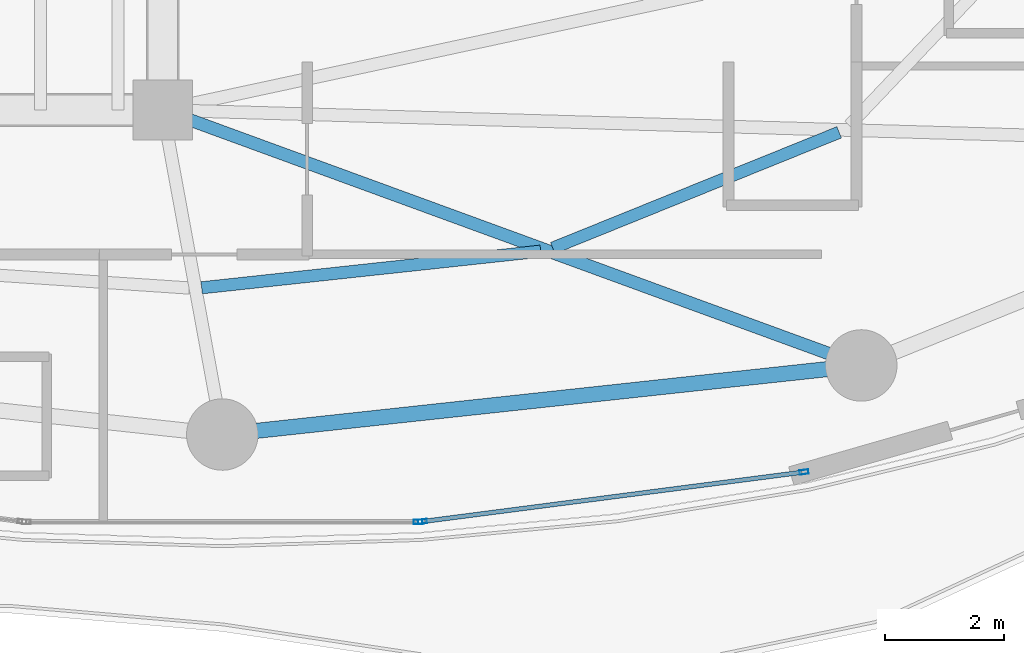
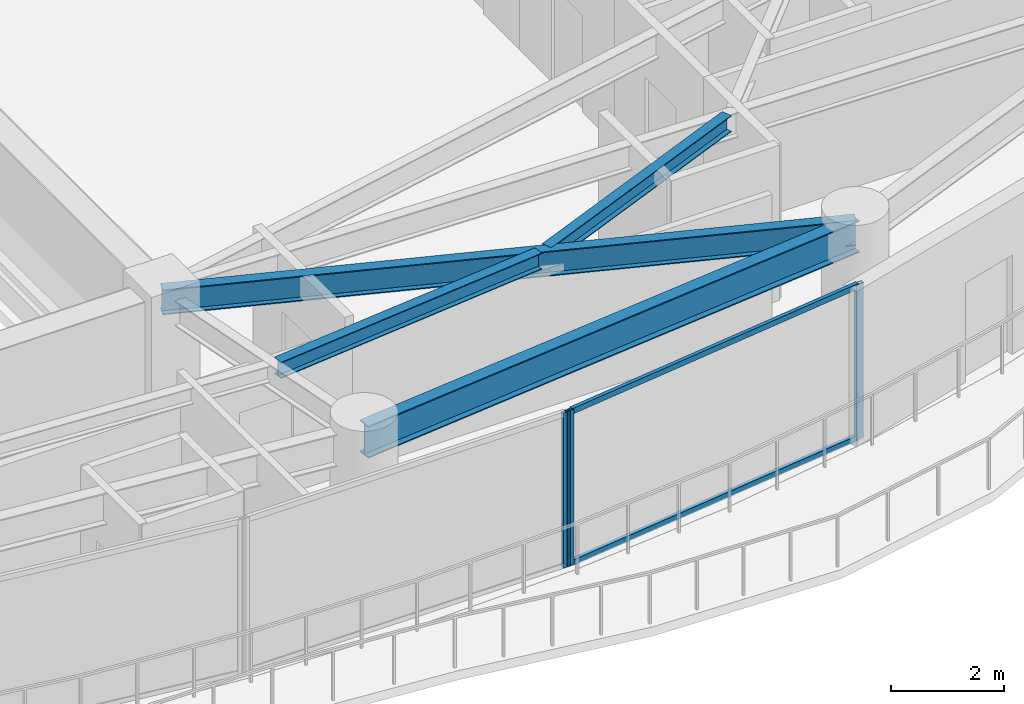
# One storey, part 9 of 31: 5 members, 4 beams, 2 elements without a shape of their own.
"""IFC4 building model written with IfcOpenShell, lengths in metres."""

from ifc_helpers import new_model, si_unit, direction, frame, origin, origin_2d, place, context, subcontext, project, spatial, hollow_rectangle, i_section, extrude, material, layer, layer_set, material_profile, profile_set, type_object, element, aggregate, save


model = new_model("IFC4")

# Units and contexts
model_context = context("Model", 3, precision=1e-05, world=origin(), true_north=direction((0.0, 1.0)))
body_context = subcontext(model_context, "Body", "Model", "MODEL_VIEW")
ifc_project = project(units=[si_unit("LENGTHUNIT", "METRE"), si_unit("AREAUNIT", "SQUARE_METRE"), si_unit("VOLUMEUNIT", "CUBIC_METRE"), si_unit("PLANEANGLEUNIT", "RADIAN"), si_unit("MASSUNIT", "GRAM", prefix="KILO")], contexts=[model_context])

# Site, building, storey
site_placement = place(None, origin())
site = spatial("IfcSite", under=ifc_project, at=site_placement, CompositionType="ELEMENT")
building_placement = place(site_placement, origin())
building = spatial("IfcBuilding", under=site, at=building_placement, Name="Kazevale Care Tower and Concert Hall", CompositionType="ELEMENT")
storey_placement = place(building_placement, frame((0.0, 0.0, 124.199951171875)))
storey = spatial("IfcBuildingStorey", under=building, at=storey_placement, Name="L32", CompositionType="ELEMENT", Elevation=124.199951171875)

# Curtain wall, members
ifc_material_1 = material(Name="Aluminium 6063-T6 and Low-E Glass", Category="aluminium")
ifc_layer = layer(ifc_material_1, 0.179931640625)
ifc_layer_set = layer_set([ifc_layer], Name="Aluminium 6063-T6 and Low-E Glass")
curtain_wall_type = type_object("IfcCurtainWallType", Name="Sheltered Concave Balcony Curtain Wall CW-5", PredefinedType="NOTDEFINED", material=ifc_layer_set)
curtain_wall_1_placement = place(storey_placement, origin())
curtain_wall_1 = element("IfcCurtainWall", 1, at=curtain_wall_1_placement, inside=storey, type_object=curtain_wall_type, Name="cw:L32:f05", PredefinedType="NOTDEFINED")
ifc_material_2 = material(Name="Aluminium 6063-T6", Category="aluminium")
ifc_material_profile_1 = material_profile(ifc_material_2, hollow_rectangle(XDim=0.074951171875, YDim=0.14990234375, WallThickness=0.00390625, at=origin_2d()), Name="ALU75x150x4")
ifc_profile_set_1 = profile_set([ifc_material_profile_1], Name="Aluminium 6063-T6")
member_type_1 = type_object("IfcMemberType", Name="CW-5 Mullion ALU75x150x4", PredefinedType="MULLION", material=ifc_profile_set_1)
member_1_placement = place(storey_placement, frame((54.768798828125, 17.520263671875, 0.0), z_axis=(0.0, 0.0, 1.0), x_axis=(0.12868500567, -0.991685519364, 0.0)))
member_1 = element("IfcMember", 2, at=member_1_placement, type_object=member_type_1, Name="CW-5 mullion 1", PredefinedType="MULLION", context=body_context, shape_type="SweptSolid", body=[
    extrude(hollow_rectangle(XDim=0.074951171875, YDim=0.14990234375, WallThickness=0.00390625, at=origin_2d()), origin(), (0.0, 0.0, 1.0), 3.360107421875),
])
member_2_placement = place(storey_placement, frame((48.3623046875, 16.688720703125, 0.0), z_axis=(0.0, 0.0, 1.0), x_axis=(0.12868500567, -0.991685519364, 0.0)))
member_2 = element("IfcMember", 3, at=member_2_placement, type_object=member_type_1, Name="CW-5 mullion 2", PredefinedType="MULLION", context=body_context, shape_type="SweptSolid", body=[
    extrude(hollow_rectangle(XDim=0.074951171875, YDim=0.14990234375, WallThickness=0.00390625, at=origin_2d()), origin(), (0.0, 0.0, 1.0), 3.360107421875),
])

# Curtain wall, member
curtain_wall_2_placement = place(storey_placement, origin())
curtain_wall_2 = element("IfcCurtainWall", 4, at=curtain_wall_2_placement, inside=storey, type_object=curtain_wall_type, Name="cw:L32:f06", PredefinedType="NOTDEFINED")
member_3_placement = place(storey_placement, frame((48.28759765625, 16.68408203125, 0.0), z_axis=(0.0, 0.0, 1.0), x_axis=(0.0, -1.0, 0.0)))
member_3 = element("IfcMember", 5, at=member_3_placement, type_object=member_type_1, Name="CW-5 mullion 1", PredefinedType="MULLION", context=body_context, shape_type="SweptSolid", body=[
    extrude(hollow_rectangle(XDim=0.074951171875, YDim=0.14990234375, WallThickness=0.00390625, at=origin_2d()), origin(), (0.0, 0.0, 1.0), 3.360107421875),
])
aggregate(curtain_wall_2, [member_3])

# Member
ifc_material_profile_2 = material_profile(ifc_material_2, hollow_rectangle(XDim=0.074951171875, YDim=0.1201171875, WallThickness=0.00390625, at=origin_2d()), Name="ALU75x120x4")
ifc_profile_set_2 = profile_set([ifc_material_profile_2], Name="Aluminium 6063-T6")
member_type_2 = type_object("IfcMemberType", Name="CW-5 Transom ALU75x120x4", PredefinedType="USERDEFINED", material=ifc_profile_set_2)
member_4_placement = place(storey_placement, frame((54.731689453125, 17.515380859375, 0.03759765625), z_axis=(-0.991683991743, -0.12869677743, 0.0), x_axis=(0.12869677743, -0.991683991743, 0.0)))
member_4 = element("IfcMember", 6, at=member_4_placement, type_object=member_type_2, Name="CW-5 transom 1.1", ObjectType="TRANSOM", PredefinedType="USERDEFINED", context=body_context, shape_type="SweptSolid", body=[
    extrude(hollow_rectangle(XDim=0.074951171875, YDim=0.1201171875, WallThickness=0.00390625, at=origin_2d()), origin(), (0.0, 0.0, 1.0), 6.385498046875),
])

member_5_placement = place(storey_placement, frame((54.731689453125, 17.515380859375, 3.322509765625), z_axis=(-0.991683991743, -0.12869677743, 0.0), x_axis=(0.12869677743, -0.991683991743, 0.0)))
member_5 = element("IfcMember", 7, at=member_5_placement, type_object=member_type_2, Name="CW-5 transom 1.2", ObjectType="TRANSOM", PredefinedType="USERDEFINED", context=body_context, shape_type="SweptSolid", body=[
    extrude(hollow_rectangle(XDim=0.074951171875, YDim=0.1201171875, WallThickness=0.00390625, at=origin_2d()), origin(), (0.0, 0.0, 1.0), 6.385498046875),
])

aggregate(curtain_wall_1, [member_1, member_2, member_4, member_5])

# Beams
ifc_material_3 = material(Name="Steel ASTM A572 Gr 50", Category="steel")
ifc_material_profile_3 = material_profile(ifc_material_3, i_section(OverallWidth=0.2119140625, OverallDepth=0.5439453125, WebThickness=0.01318359375, FlangeThickness=0.021240234375, at=origin_2d()), Name="W530x123")
ifc_profile_set_3 = profile_set([ifc_material_profile_3], Name="Steel ASTM A572 Gr 50")
beam_type_1 = type_object("IfcBeamType", Name="Radial Floor Girder W530x123", PredefinedType="BEAM", material=ifc_profile_set_3)
beam_1_placement = place(storey_placement, frame((44.0, 23.60009765625, 3.088134765625), z_axis=(0.939159459123, -0.343481455599, 0.0), x_axis=(0.343481455599, 0.939159459123, 0.0)))
element("IfcBeam", 8, at=beam_1_placement, inside=storey, type_object=beam_type_1, Name="beam:L32:rad:14", PredefinedType="BEAM", context=body_context, shape_type="SweptSolid", body=[
    extrude(i_section(OverallWidth=0.2119140625, OverallDepth=0.5439453125, WebThickness=0.01318359375, FlangeThickness=0.021240234375, at=origin_2d()), origin(), (0.0, 0.0, 1.0), 12.489990234375),
])
ifc_material_profile_4 = material_profile(ifc_material_3, i_section(OverallWidth=0.205078125, OverallDepth=0.35400390625, WebThickness=0.009521484375, FlangeThickness=0.016845703125, at=origin_2d()), Name="W360x79")
ifc_profile_set_4 = profile_set([ifc_material_profile_4], Name="Steel ASTM A572 Gr 50")
beam_type_2 = type_object("IfcBeamType", Name="Secondary Floor Joist W360x79", PredefinedType="JOIST", material=ifc_profile_set_4)
beam_2_placement = place(storey_placement, frame((44.654052734375, 20.614013671875, 3.18310546875), z_axis=(0.994215541126, 0.107403248482, 0.0), x_axis=(-0.107403248482, 0.994215541126, 0.0)))
element("IfcBeam", 9, at=beam_2_placement, inside=storey, type_object=beam_type_2, Name="beam:L32:joist:13", PredefinedType="JOIST", context=body_context, shape_type="SweptSolid", body=[
    extrude(i_section(OverallWidth=0.205078125, OverallDepth=0.35400390625, WebThickness=0.009521484375, FlangeThickness=0.016845703125, at=origin_2d()), origin(), (0.0, 0.0, 1.0), 5.72607421875),
])
beam_3_placement = place(storey_placement, frame((50.549072265625, 21.280029296875, 3.18310546875), z_axis=(0.927064833216, 0.374901046964, 0.0), x_axis=(-0.374901046964, 0.927064833216, 0.0)))
element("IfcBeam", 10, at=beam_3_placement, inside=storey, type_object=beam_type_2, Name="beam:L32:joist:14", PredefinedType="JOIST", context=body_context, shape_type="SweptSolid", body=[
    extrude(i_section(OverallWidth=0.205078125, OverallDepth=0.35400390625, WebThickness=0.009521484375, FlangeThickness=0.016845703125, at=origin_2d()), origin(), (0.0, 0.0, 1.0), 5.188232421875),
])
ifc_material_profile_5 = material_profile(ifc_material_3, i_section(OverallWidth=0.256103515625, OverallDepth=0.693115234375, WebThickness=0.014404296875, FlangeThickness=0.023681640625, at=origin_2d()), Name="W690x170")
ifc_profile_set_5 = profile_set([ifc_material_profile_5], Name="Steel ASTM A572 Gr 50")
beam_type_3 = type_object("IfcBeamType", Name="Waist Ring Beam W690x170", PredefinedType="BEAM", material=ifc_profile_set_5)
beam_4_placement = place(storey_placement, frame((45.0, 18.14990234375, 3.013427734375), z_axis=(0.994205479487, 0.107496346724, 0.0), x_axis=(-0.107496346724, 0.994205479487, 0.0)))
element("IfcBeam", 11, at=beam_4_placement, inside=storey, type_object=beam_type_3, Name="beam:L32:ring:13", PredefinedType="BEAM", context=body_context, shape_type="SweptSolid", body=[
    extrude(i_section(OverallWidth=0.256103515625, OverallDepth=0.693115234375, WebThickness=0.014404296875, FlangeThickness=0.023681640625, at=origin_2d()), origin(), (0.0, 0.0, 1.0), 10.79248046875),
])

save(model, "model.ifc")
